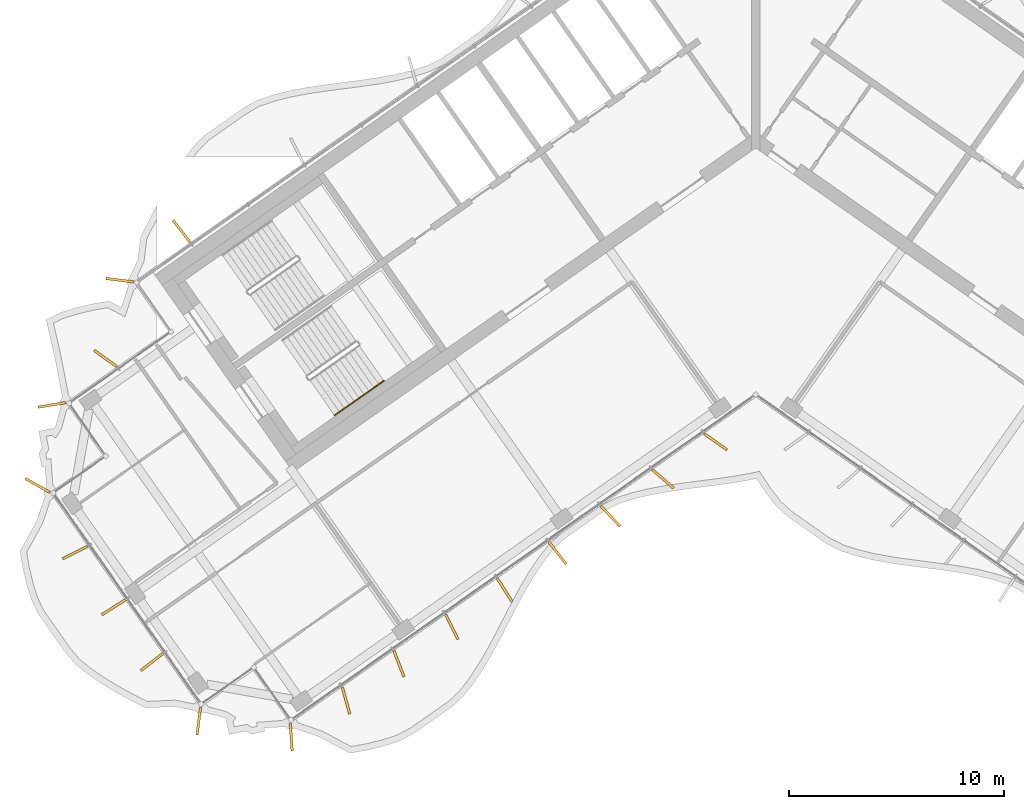
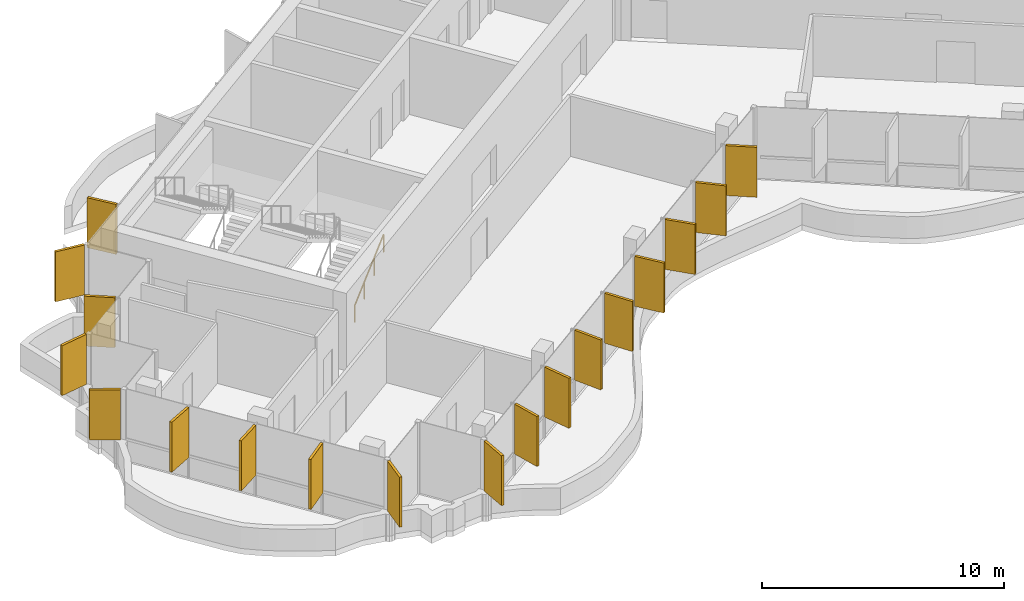
# One storey, part 15 of 19: 18 shading devices, 1 railing.
"""IFC4 building model written with IfcOpenShell, lengths in metres."""

from ifc_helpers import new_model, si_unit, direction, frame, origin, origin_2d, place, context, subcontext, project, spatial, rectangle, circle, extrude, material, layer, layer_set, type_object, element, save


model = new_model("IFC4")

# Units and contexts
model_context = context("Model", 3, precision=1e-05, world=origin(), true_north=direction((0.0, 1.0)))
body_context = subcontext(model_context, "Body", "Model", "MODEL_VIEW")
ifc_project = project(units=[si_unit("LENGTHUNIT", "METRE"), si_unit("AREAUNIT", "SQUARE_METRE"), si_unit("VOLUMEUNIT", "CUBIC_METRE"), si_unit("PLANEANGLEUNIT", "RADIAN"), si_unit("MASSUNIT", "GRAM", prefix="KILO")], contexts=[model_context])

# Site, building, storey
site_placement = place(None, origin())
site = spatial("IfcSite", under=ifc_project, at=site_placement, CompositionType="ELEMENT")
building_placement = place(site_placement, origin())
building = spatial("IfcBuilding", under=site, at=building_placement, Name="Tel Ilan Convention Tower", CompositionType="ELEMENT")
storey_placement = place(building_placement, frame((0.0, 0.0, 241.0)))
storey = spatial("IfcBuildingStorey", under=building, at=storey_placement, Name="L56", CompositionType="ELEMENT", Elevation=241.0)

# Shading devices
ifc_material_1 = material(Name="Aluminium, bronze anodised", Category="aluminium")
ifc_layer = layer(ifc_material_1, 0.1201171875)
ifc_layer_set = layer_set([ifc_layer], Name="FIN BRONZE 1300x120")
shading_device_type = type_object("IfcShadingDeviceType", Name="FIN BRONZE 1300x120", PredefinedType="USERDEFINED", material=ifc_layer_set)
for number, where, z_axis, x_axis, name in (
    (1, (-26.725830078125, -5.099853515625, 1.10009765625), (0.0, 0.0, 1.0), (-0.612600545196, 0.790392669516, 0.0), "FIN"),
    (2, (-29.60595703125, -7.376953125, 1.10009765625), (0.0, 0.0, 1.0), (-0.992066016082, 0.125718016748, 0.0), "FIN"),
    (3, (-30.268310546875, -11.022216796875, 1.10009765625), (0.0, 0.0, 1.0), (-0.813552070258, 0.581492071294, 0.0), "FIN"),
    (4, (-32.76416015625, -13.1826171875, 1.10009765625), (0.0, 0.0, 1.0), (-0.986445172547, -0.16409119891, 0.0), "FIN"),
    (5, (-33.42578125, -16.9345703125, 1.10009765625), (0.0, 0.0, 1.0), (-0.870832754082, 0.491579408049, 0.0), "FIN"),
    (6, (-31.6787109375, -20.052490234375, 1.10009765625), (0.0, 0.0, 1.0), (-0.893632640321, -0.448799180206, 0.0), "FIN"),
    (7, (-29.8935546875, -22.602294921875, 1.10009765625), (0.0, 0.0, 1.0), (-0.845986425922, -0.533204432798, 0.0), "FIN"),
    (8, (-28.108154296875, -25.15234375, 1.10009765625), (0.0, 0.0, 1.0), (-0.790392669516, -0.612600545196, 0.0), "FIN"),
    (9, (-25.925048828125, -27.8984375, 1.10009765625), (0.0, 0.0, 1.0), (-0.125718016748, -0.992066016082, 0.0), "FIN"),
    (10, (-21.623046875, -28.650146484375, 1.10009765625), (0.0, 0.0, 1.0), (0.067821812994, -0.997697449973, 0.0), "FIN"),
    (11, (-19.072021484375, -26.944580078125, 1.10009765625), (0.0, 0.0, 1.0), (0.268172612768, -0.963370878614, 0.0), "FIN"),
    (12, (-16.6083984375, -25.234619140625, 1.10009765625), (0.0, 0.0, 1.0), (0.360177724803, -0.932883704733, 0.0), "FIN"),
    (13, (-14.146728515625, -23.51904296875, 1.10009765625), (0.0, 0.0, 1.0), (0.448799180206, -0.893632640321, 0.0), "FIN"),
    (14, (-11.68798828125, -21.797607421875, 1.10009765625), (0.0, 0.0, 1.0), (0.533204432798, -0.845986425922, 0.0), "FIN"),
    (15, (-9.229248046875, -20.075927734375, 1.10009765625), (0.0, 0.0, 1.0), (0.612600545196, -0.790392669516, 0.0), "FIN"),
    (16, (-6.770751953125, -18.354248046875, 1.10009765625), (0.0, 0.0, 1.0), (0.686241637865, -0.727373641577, 0.0), "FIN"),
    (17, (-4.316650390625, -16.6279296875, 1.10009765625), (0.0, 0.0, 1.0), (0.753435896329, -0.657521368568, 0.0), "FIN"),
    (18, (-1.8671875, -14.897705078125, 1.10009765625), (0.0, 0.0, 1.0), (0.813552070258, -0.581492071294, 0.0), "FIN"),
):
    element("IfcShadingDevice", number, at=place(storey_placement, frame(where, z_axis=z_axis, x_axis=x_axis)), inside=storey, type_object=shading_device_type, Name=name, ObjectType="FIN", PredefinedType="USERDEFINED", context=body_context, shape_type="SweptSolid", body=[
        extrude(rectangle(XDim=1.300048828125, YDim=0.1201171875, at=origin_2d()), origin(), (0.0, 0.0, 1.0), 2.52001953125),
    ])

# Railing
ifc_material_2 = material(Name="Stainless Steel Grade 316", Category="steel")
railing_type = type_object("IfcRailingType", Name="Stainless Steel Stair Handrail 900 mm", PredefinedType="HANDRAIL", material=ifc_material_2)
railing_placement = place(storey_placement, frame((-19.6064453125, -13.66748046875, 0.17724609375)))
element("IfcRailing", 19, at=railing_placement, inside=storey, type_object=railing_type, Name="L56 S2 stair handrail 1", PredefinedType="HANDRAIL", context=body_context, shape_type="SweptSolid", body=[
    extrude(circle(Radius=0.02392578125, at=origin_2d()), frame((0.0, 0.0, 0.8759765625), z_axis=(0.692123088272, 0.484596665743, 0.534912798717), x_axis=(-0.573550118428, 0.819170471667, 0.0)), (0.0, 0.0, 1.0), 3.31396484375),
    extrude(circle(Radius=0.02099609375, at=origin_2d()), origin(), (0.0, 0.0, 1.0), 0.851806640625),
    extrude(circle(Radius=0.02099609375, at=origin_2d()), frame((0.7646484375, 0.535400390625, 0.5908203125)), (0.0, 0.0, 1.0), 0.851806640625),
    extrude(circle(Radius=0.02099609375, at=origin_2d()), frame((1.529052734375, 1.070556640625, 1.181884765625)), (0.0, 0.0, 1.0), 0.851806640625),
    extrude(circle(Radius=0.02099609375, at=origin_2d()), frame((2.293701171875, 1.60595703125, 1.772705078125)), (0.0, 0.0, 1.0), 0.851806640625),
])

save(model, "model.ifc")
